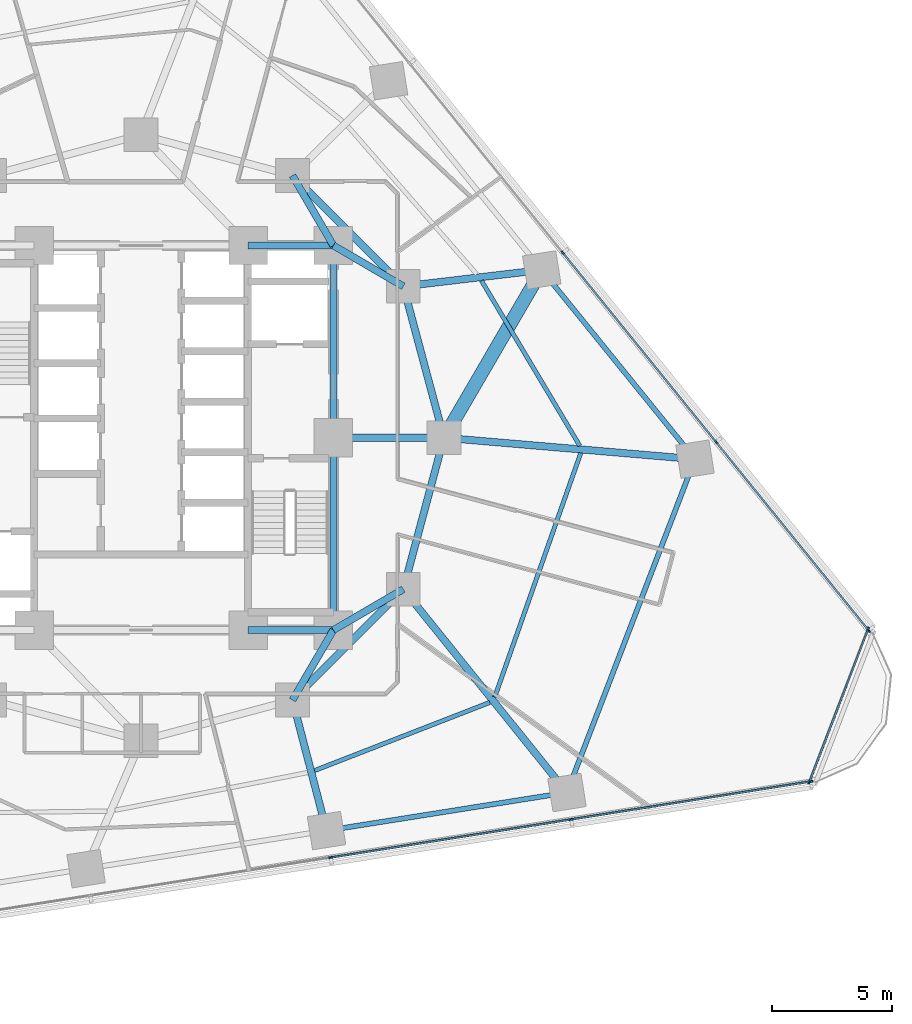
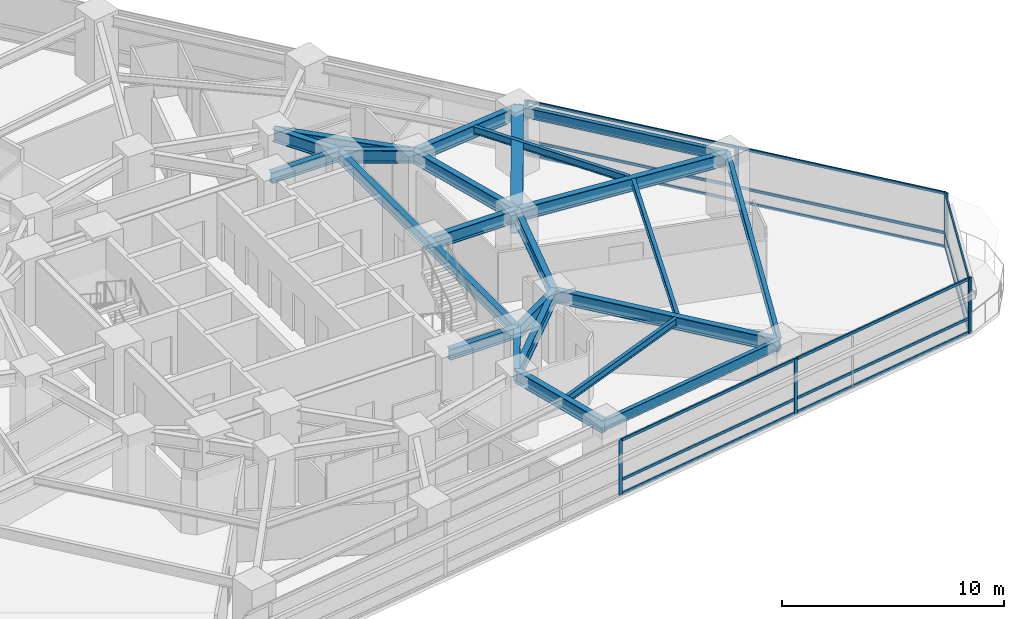
# One storey, part 4 of 13: 24 beams, 23 members, 3 elements without a shape of their own.
"""IFC4 building model written with IfcOpenShell, lengths in metres."""

from ifc_helpers import new_model, si_unit, direction, frame, origin, origin_2d, place, context, subcontext, project, spatial, rectangle, i_section, extrude, material, layer, layer_set, material_profile, profile_set, type_object, element, aggregate, save


model = new_model("IFC4")

# Units and contexts
model_context = context("Model", 3, precision=1e-05, world=origin(), true_north=direction((0.0, 1.0)))
body_context = subcontext(model_context, "Body", "Model", "MODEL_VIEW")
ifc_project = project(units=[si_unit("LENGTHUNIT", "METRE"), si_unit("AREAUNIT", "SQUARE_METRE"), si_unit("VOLUMEUNIT", "CUBIC_METRE"), si_unit("PLANEANGLEUNIT", "RADIAN"), si_unit("MASSUNIT", "GRAM", prefix="KILO")], contexts=[model_context])

# Site, building, storey
site_placement = place(None, origin())
site = spatial("IfcSite", under=ifc_project, at=site_placement, CompositionType="ELEMENT")
building_placement = place(site_placement, origin())
building = spatial("IfcBuilding", under=site, at=building_placement, Name="Terralouvre Media Tower", CompositionType="ELEMENT")
storey_placement = place(building_placement, frame((0.0, 0.0, 59.300048828125)))
storey = spatial("IfcBuildingStorey", under=building, at=storey_placement, Name="L14", CompositionType="ELEMENT", Elevation=59.300048828125)

# Beams
ifc_material_1 = material(Name="Structural steel S355J2", Category="steel")
ifc_material_profile_1 = material_profile(ifc_material_1, i_section(OverallWidth=0.179931640625, OverallDepth=0.39990234375, WebThickness=0.008544921875, FlangeThickness=0.013427734375, at=origin_2d()), Name="IPE 400")
ifc_profile_set_1 = profile_set([ifc_material_profile_1], Name="Structural steel S355J2")
beam_type_1 = type_object("IfcBeamType", Name="Composite Floor Joist J-IPE400 (IPE 400)", PredefinedType="JOIST", material=ifc_profile_set_1)
beam_1_placement = place(storey_placement, frame((7.21826171875, -13.844482421875, 3.300048828125), z_axis=(0.931999401601, 0.362459812139, 0.0), x_axis=(-0.362459812139, 0.931999401601, 0.0)))
element("IfcBeam", 1, at=beam_1_placement, inside=storey, type_object=beam_type_1, Name="L14 Framing Beam JT-L14-04", PredefinedType="JOIST", context=body_context, shape_type="SweptSolid", body=[
    extrude(i_section(OverallWidth=0.179931640625, OverallDepth=0.39990234375, WebThickness=0.008544921875, FlangeThickness=0.013427734375, at=origin_2d()), origin(), (0.0, 0.0, 1.0), 7.82470703125),
])
beam_2_placement = place(storey_placement, frame((14.713623046875, -10.78759765625, 3.300048828125), z_axis=(0.332419189209, 0.943131741935, 0.0), x_axis=(-0.943131741935, 0.332419189209, 0.0)))
element("IfcBeam", 2, at=beam_2_placement, inside=storey, type_object=beam_type_1, Name="L14 Framing Beam JT-L14-05", PredefinedType="JOIST", context=body_context, shape_type="SweptSolid", body=[
    extrude(i_section(OverallWidth=0.179931640625, OverallDepth=0.39990234375, WebThickness=0.008544921875, FlangeThickness=0.013427734375, at=origin_2d()), origin(), (0.0, 0.0, 1.0), 10.766845703125),
])
beam_3_placement = place(storey_placement, frame((18.250244140625, -0.331787109375, 3.300048828125), z_axis=(-0.511572999737, 0.859239818642, 0.0), x_axis=(-0.859239818642, -0.511572999737, 0.0)))
element("IfcBeam", 3, at=beam_3_placement, inside=storey, type_object=beam_type_1, Name="L14 Framing Beam JT-L14-06", PredefinedType="JOIST", context=body_context, shape_type="SweptSolid", body=[
    extrude(i_section(OverallWidth=0.179931640625, OverallDepth=0.39990234375, WebThickness=0.008544921875, FlangeThickness=0.013427734375, at=origin_2d()), origin(), (0.0, 0.0, 1.0), 7.99267578125),
])

# Curtain wall, members
ifc_material_2 = material(Name="Low-iron laminated double glazing with solar-control coating", Category="glass")
ifc_layer_1 = layer(ifc_material_2, 0.1650390625, Name="Lower Media Tower Unitised Curtain Wall CW-02")
ifc_layer_set_1 = layer_set([ifc_layer_1], Name="Low-iron laminated double glazing with solar-control coating")
curtain_wall_type_1 = type_object("IfcCurtainWallType", Name="Lower Media Tower Unitised Curtain Wall CW-02", PredefinedType="NOTDEFINED", material=ifc_layer_set_1)
curtain_wall_1_placement = place(storey_placement, origin())
curtain_wall_1 = element("IfcCurtainWall", 4, at=curtain_wall_1_placement, inside=storey, type_object=curtain_wall_type_1, Name="L14 Facade Curtain Wall F0", PredefinedType="NOTDEFINED")
ifc_material_3 = material(Name="Anodised extruded aluminium 6063-T6", Category="aluminium")
ifc_material_profile_2 = material_profile(ifc_material_3, rectangle(XDim=0.074951171875, YDim=0.14990234375, at=origin_2d()), Name="ALU 75x150")
ifc_profile_set_2 = profile_set([ifc_material_profile_2], Name="Anodised extruded aluminium 6063-T6")
member_type_1 = type_object("IfcMemberType", Name="Curtain-Wall Horizontal Transom TR-150", PredefinedType="USERDEFINED", material=ifc_profile_set_2)
member_1_placement = place(storey_placement, frame((7.929443359375, -17.452880859375, 0.037353515625), z_axis=(0.987690198625, 0.156422733448, 0.0), x_axis=(-0.156422733448, 0.987690198625, 0.0)))
member_1 = element("IfcMember", 5, at=member_1_placement, type_object=member_type_1, Name="CW-02 transom 4.1", ObjectType="TRANSOM", PredefinedType="USERDEFINED", context=body_context, shape_type="SweptSolid", body=[
    extrude(rectangle(XDim=0.074951171875, YDim=0.14990234375, at=origin_2d()), origin(), (0.0, 0.0, 1.0), 10.052978515625),
])
member_2_placement = place(storey_placement, frame((7.929443359375, -17.452880859375, 0.800048828125), z_axis=(0.987690198625, 0.156422733448, 0.0), x_axis=(-0.156422733448, 0.987690198625, 0.0)))
member_2 = element("IfcMember", 6, at=member_2_placement, type_object=member_type_1, Name="CW-02 transom 4.2", ObjectType="TRANSOM", PredefinedType="USERDEFINED", context=body_context, shape_type="SweptSolid", body=[
    extrude(rectangle(XDim=0.074951171875, YDim=0.14990234375, at=origin_2d()), origin(), (0.0, 0.0, 1.0), 10.052978515625),
])
member_3_placement = place(storey_placement, frame((7.929443359375, -17.452880859375, 2.96240234375), z_axis=(0.987690198625, 0.156422733448, 0.0), x_axis=(-0.156422733448, 0.987690198625, 0.0)))
member_3 = element("IfcMember", 7, at=member_3_placement, type_object=member_type_1, Name="CW-02 transom 4.3", ObjectType="TRANSOM", PredefinedType="USERDEFINED", context=body_context, shape_type="SweptSolid", body=[
    extrude(rectangle(XDim=0.074951171875, YDim=0.14990234375, at=origin_2d()), origin(), (0.0, 0.0, 1.0), 10.052978515625),
])
member_4_placement = place(storey_placement, frame((17.9326171875, -15.86865234375, 0.037353515625), z_axis=(0.987686755457, 0.156444472878, 0.0), x_axis=(-0.156444472878, 0.987686755457, 0.0)))
member_4 = element("IfcMember", 8, at=member_4_placement, type_object=member_type_1, Name="CW-02 transom 5.1", ObjectType="TRANSOM", PredefinedType="USERDEFINED", context=body_context, shape_type="SweptSolid", body=[
    extrude(rectangle(XDim=0.074951171875, YDim=0.14990234375, at=origin_2d()), origin(), (0.0, 0.0, 1.0), 10.015625),
])
member_5_placement = place(storey_placement, frame((17.9326171875, -15.86865234375, 0.800048828125), z_axis=(0.987686755457, 0.156444472878, 0.0), x_axis=(-0.156444472878, 0.987686755457, 0.0)))
member_5 = element("IfcMember", 9, at=member_5_placement, type_object=member_type_1, Name="CW-02 transom 5.2", ObjectType="TRANSOM", PredefinedType="USERDEFINED", context=body_context, shape_type="SweptSolid", body=[
    extrude(rectangle(XDim=0.074951171875, YDim=0.14990234375, at=origin_2d()), origin(), (0.0, 0.0, 1.0), 10.015625),
])
member_6_placement = place(storey_placement, frame((17.9326171875, -15.86865234375, 2.96240234375), z_axis=(0.987686755457, 0.156444472878, 0.0), x_axis=(-0.156444472878, 0.987686755457, 0.0)))
member_6 = element("IfcMember", 10, at=member_6_placement, type_object=member_type_1, Name="CW-02 transom 5.3", ObjectType="TRANSOM", PredefinedType="USERDEFINED", context=body_context, shape_type="SweptSolid", body=[
    extrude(rectangle(XDim=0.074951171875, YDim=0.14990234375, at=origin_2d()), origin(), (0.0, 0.0, 1.0), 10.015625),
])

curtain_wall_2_placement = place(storey_placement, origin())
curtain_wall_2 = element("IfcCurtainWall", 11, at=curtain_wall_2_placement, inside=storey, type_object=curtain_wall_type_1, Name="L14 Facade Curtain Wall F1", PredefinedType="NOTDEFINED")
member_7_placement = place(storey_placement, frame((30.247802734375, -7.990234375, 0.037353515625), z_axis=(-0.629312521445, 0.777152334071, 0.0), x_axis=(-0.777152334071, -0.629312521445, 0.0)))
member_7 = element("IfcMember", 12, at=member_7_placement, type_object=member_type_1, Name="CW-02 transom 1.1", ObjectType="TRANSOM", PredefinedType="USERDEFINED", context=body_context, shape_type="SweptSolid", body=[
    extrude(rectangle(XDim=0.074951171875, YDim=0.14990234375, at=origin_2d()), origin(), (0.0, 0.0, 1.0), 10.015625),
])
member_8_placement = place(storey_placement, frame((30.247802734375, -7.990234375, 0.800048828125), z_axis=(-0.629312521445, 0.777152334071, 0.0), x_axis=(-0.777152334071, -0.629312521445, 0.0)))
member_8 = element("IfcMember", 13, at=member_8_placement, type_object=member_type_1, Name="CW-02 transom 1.2", ObjectType="TRANSOM", PredefinedType="USERDEFINED", context=body_context, shape_type="SweptSolid", body=[
    extrude(rectangle(XDim=0.074951171875, YDim=0.14990234375, at=origin_2d()), origin(), (0.0, 0.0, 1.0), 10.015625),
])
member_9_placement = place(storey_placement, frame((30.247802734375, -7.990234375, 2.96240234375), z_axis=(-0.629312521445, 0.777152334071, 0.0), x_axis=(-0.777152334071, -0.629312521445, 0.0)))
member_9 = element("IfcMember", 14, at=member_9_placement, type_object=member_type_1, Name="CW-02 transom 1.3", ObjectType="TRANSOM", PredefinedType="USERDEFINED", context=body_context, shape_type="SweptSolid", body=[
    extrude(rectangle(XDim=0.074951171875, YDim=0.14990234375, at=origin_2d()), origin(), (0.0, 0.0, 1.0), 10.015625),
])
member_10_placement = place(storey_placement, frame((23.8974609375, -0.1484375, 0.037353515625), z_axis=(-0.629307207311, 0.777156637253, 0.0), x_axis=(-0.777156637253, -0.629307207311, 0.0)))
member_10 = element("IfcMember", 15, at=member_10_placement, type_object=member_type_1, Name="CW-02 transom 2.1", ObjectType="TRANSOM", PredefinedType="USERDEFINED", context=body_context, shape_type="SweptSolid", body=[
    extrude(rectangle(XDim=0.074951171875, YDim=0.14990234375, at=origin_2d()), origin(), (0.0, 0.0, 1.0), 10.052978515625),
])
member_11_placement = place(storey_placement, frame((23.8974609375, -0.1484375, 0.800048828125), z_axis=(-0.629307207311, 0.777156637253, 0.0), x_axis=(-0.777156637253, -0.629307207311, 0.0)))
member_11 = element("IfcMember", 16, at=member_11_placement, type_object=member_type_1, Name="CW-02 transom 2.2", ObjectType="TRANSOM", PredefinedType="USERDEFINED", context=body_context, shape_type="SweptSolid", body=[
    extrude(rectangle(XDim=0.074951171875, YDim=0.14990234375, at=origin_2d()), origin(), (0.0, 0.0, 1.0), 10.052978515625),
])
member_12_placement = place(storey_placement, frame((23.8974609375, -0.1484375, 2.96240234375), z_axis=(-0.629307207311, 0.777156637253, 0.0), x_axis=(-0.777156637253, -0.629307207311, 0.0)))
member_12 = element("IfcMember", 17, at=member_12_placement, type_object=member_type_1, Name="CW-02 transom 2.3", ObjectType="TRANSOM", PredefinedType="USERDEFINED", context=body_context, shape_type="SweptSolid", body=[
    extrude(rectangle(XDim=0.074951171875, YDim=0.14990234375, at=origin_2d()), origin(), (0.0, 0.0, 1.0), 10.052978515625),
])

ifc_material_4 = material(Name="Low-iron laminated double glazing with solar-control coating", Category="glass")
ifc_layer_2 = layer(ifc_material_4, 0.1650390625, Name="Rounded Wind-Corner Curved Glazing CW-04")
ifc_layer_set_2 = layer_set([ifc_layer_2], Name="Low-iron laminated double glazing with solar-control coating")
curtain_wall_type_2 = type_object("IfcCurtainWallType", Name="Rounded Wind-Corner Curved Glazing CW-04", PredefinedType="NOTDEFINED", material=ifc_layer_set_2)
curtain_wall_3_placement = place(storey_placement, origin())
curtain_wall_3 = element("IfcCurtainWall", 18, at=curtain_wall_3_placement, inside=storey, type_object=curtain_wall_type_2, Name="L14 Rounded Wind-Corner Curtain Wall C1", PredefinedType="NOTDEFINED")
member_13_placement = place(storey_placement, frame((27.81396484375, -14.288330078125, 0.037353515625), z_axis=(0.358345802392, 0.933588927691, 0.0), x_axis=(-0.933588927691, 0.358345802392, 0.0)))
member_13 = element("IfcMember", 19, at=member_13_placement, type_object=member_type_1, Name="CW-04 transom 1.1", ObjectType="TRANSOM", PredefinedType="USERDEFINED", context=body_context, shape_type="SweptSolid", body=[
    extrude(rectangle(XDim=0.074951171875, YDim=0.14990234375, at=origin_2d()), origin(), (0.0, 0.0, 1.0), 6.743408203125),
])
member_14_placement = place(storey_placement, frame((27.81396484375, -14.288330078125, 0.800048828125), z_axis=(0.358345802392, 0.933588927691, 0.0), x_axis=(-0.933588927691, 0.358345802392, 0.0)))
member_14 = element("IfcMember", 20, at=member_14_placement, type_object=member_type_1, Name="CW-04 transom 1.2", ObjectType="TRANSOM", PredefinedType="USERDEFINED", context=body_context, shape_type="SweptSolid", body=[
    extrude(rectangle(XDim=0.074951171875, YDim=0.14990234375, at=origin_2d()), origin(), (0.0, 0.0, 1.0), 6.743408203125),
])
member_15_placement = place(storey_placement, frame((27.81396484375, -14.288330078125, 2.96240234375), z_axis=(0.358345802392, 0.933588927691, 0.0), x_axis=(-0.933588927691, 0.358345802392, 0.0)))
member_15 = element("IfcMember", 21, at=member_15_placement, type_object=member_type_1, Name="CW-04 transom 1.3", ObjectType="TRANSOM", PredefinedType="USERDEFINED", context=body_context, shape_type="SweptSolid", body=[
    extrude(rectangle(XDim=0.074951171875, YDim=0.14990234375, at=origin_2d()), origin(), (0.0, 0.0, 1.0), 6.743408203125),
])

# Member
ifc_material_5 = material(Name="Anodised extruded aluminium 6063-T6", Category="aluminium")
ifc_material_profile_3 = material_profile(ifc_material_5, rectangle(XDim=0.074951171875, YDim=0.179931640625, at=origin_2d()), Name="ALU 75x180")
ifc_profile_set_3 = profile_set([ifc_material_profile_3], Name="Anodised extruded aluminium 6063-T6")
member_type_2 = type_object("IfcMemberType", Name="Curtain-Wall Vertical Mullion ML-180", PredefinedType="MULLION", material=ifc_profile_set_3)
member_16_placement = place(storey_placement, frame((7.892333984375, -17.458740234375, 0.0), z_axis=(0.0, 0.0, 1.0), x_axis=(-0.156434462903, 0.987688340934, 0.0)))
member_16 = element("IfcMember", 22, at=member_16_placement, type_object=member_type_2, Name="CW-02 mullion 4", PredefinedType="MULLION", context=body_context, shape_type="SweptSolid", body=[
    extrude(rectangle(XDim=0.074951171875, YDim=0.179931640625, at=origin_2d()), origin(), (0.0, 0.0, 1.0), 3.0),
])

member_17_placement = place(storey_placement, frame((17.895751953125, -15.87451171875, 0.0), z_axis=(0.0, 0.0, 1.0), x_axis=(-0.156434462903, 0.987688340934, 0.0)))
member_17 = element("IfcMember", 23, at=member_17_placement, type_object=member_type_2, Name="CW-02 mullion 5", PredefinedType="MULLION", context=body_context, shape_type="SweptSolid", body=[
    extrude(rectangle(XDim=0.074951171875, YDim=0.179931640625, at=origin_2d()), origin(), (0.0, 0.0, 1.0), 3.0),
])

member_18_placement = place(storey_placement, frame((27.86181640625, -14.2958984375, 0.0), z_axis=(0.0, 0.0, 1.0), x_axis=(-0.156434462903, 0.987688340934, 0.0)))
member_18 = element("IfcMember", 24, at=member_18_placement, type_object=member_type_2, Name="CW-02 mullion 6", PredefinedType="MULLION", context=body_context, shape_type="SweptSolid", body=[
    extrude(rectangle(XDim=0.074951171875, YDim=0.179931640625, at=origin_2d()), origin(), (0.0, 0.0, 1.0), 3.0),
])

aggregate(curtain_wall_1, [member_16, member_17, member_18, member_1, member_2, member_3, member_4, member_5, member_6])

member_19_placement = place(storey_placement, frame((30.271240234375, -8.019287109375, 0.0), z_axis=(0.0, 0.0, 1.0), x_axis=(-0.777145994276, -0.629320350521, 0.0)))
member_19 = element("IfcMember", 25, at=member_19_placement, type_object=member_type_2, Name="CW-02 mullion 1", PredefinedType="MULLION", context=body_context, shape_type="SweptSolid", body=[
    extrude(rectangle(XDim=0.074951171875, YDim=0.179931640625, at=origin_2d()), origin(), (0.0, 0.0, 1.0), 3.0),
])

member_20_placement = place(storey_placement, frame((23.921142578125, -0.177490234375, 0.0), z_axis=(0.0, 0.0, 1.0), x_axis=(-0.777145994276, -0.629320350521, 0.0)))
member_20 = element("IfcMember", 26, at=member_20_placement, type_object=member_type_2, Name="CW-02 mullion 2", PredefinedType="MULLION", context=body_context, shape_type="SweptSolid", body=[
    extrude(rectangle(XDim=0.074951171875, YDim=0.179931640625, at=origin_2d()), origin(), (0.0, 0.0, 1.0), 3.0),
])

member_21_placement = place(storey_placement, frame((17.54736328125, 7.693359375, 0.0), z_axis=(0.0, 0.0, 1.0), x_axis=(-0.777145994276, -0.629320350521, 0.0)))
member_21 = element("IfcMember", 27, at=member_21_placement, type_object=member_type_2, Name="CW-02 mullion 3", PredefinedType="MULLION", context=body_context, shape_type="SweptSolid", body=[
    extrude(rectangle(XDim=0.074951171875, YDim=0.179931640625, at=origin_2d()), origin(), (0.0, 0.0, 1.0), 3.0),
])

aggregate(curtain_wall_2, [member_19, member_20, member_21, member_7, member_8, member_9, member_10, member_11, member_12])

member_22_placement = place(storey_placement, frame((27.800537109375, -14.323486328125, 0.0), z_axis=(0.0, 0.0, 1.0), x_axis=(-0.933580609478, 0.358367472863, 0.0)))
member_22 = element("IfcMember", 28, at=member_22_placement, type_object=member_type_2, Name="CW-04 mullion 1", PredefinedType="MULLION", context=body_context, shape_type="SweptSolid", body=[
    extrude(rectangle(XDim=0.074951171875, YDim=0.179931640625, at=origin_2d()), origin(), (0.0, 0.0, 1.0), 3.0),
])

member_23_placement = place(storey_placement, frame((30.243896484375, -7.957763671875, 0.0), z_axis=(0.0, 0.0, 1.0), x_axis=(-0.933580609478, 0.358367472863, 0.0)))
member_23 = element("IfcMember", 29, at=member_23_placement, type_object=member_type_2, Name="CW-04 mullion 2", PredefinedType="MULLION", context=body_context, shape_type="SweptSolid", body=[
    extrude(rectangle(XDim=0.074951171875, YDim=0.179931640625, at=origin_2d()), origin(), (0.0, 0.0, 1.0), 3.0),
])

aggregate(curtain_wall_3, [member_22, member_23, member_13, member_14, member_15])

# Beams
ifc_material_6 = material(Name="Structural steel S355J2", Category="steel")
ifc_material_profile_4 = material_profile(ifc_material_6, i_section(OverallWidth=0.2099609375, OverallDepth=0.550048828125, WebThickness=0.010986328125, FlangeThickness=0.01708984375, at=origin_2d()), Name="IPE 550")
ifc_profile_set_4 = profile_set([ifc_material_profile_4], Name="Structural steel S355J2")
beam_type_2 = type_object("IfcBeamType", Name="Perimeter Spandrel Beam SPB-550 (IPE 550)", PredefinedType="SPANDREL", material=ifc_profile_set_4)
beam_4_placement = place(storey_placement, frame((7.715576171875, -16.3427734375, 3.224853515625), z_axis=(0.987686424887, 0.156446559869, 0.0), x_axis=(-0.156446559869, 0.987686424887, 0.0)))
element("IfcBeam", 30, at=beam_4_placement, inside=storey, type_object=beam_type_2, Name="L14 Framing Beam BM-L14-PR04", PredefinedType="SPANDREL", context=body_context, shape_type="SweptSolid", body=[
    extrude(i_section(OverallWidth=0.2099609375, OverallDepth=0.550048828125, WebThickness=0.010986328125, FlangeThickness=0.01708984375, at=origin_2d()), origin(), (0.0, 0.0, 1.0), 10.1279296875),
])
beam_5_placement = place(storey_placement, frame((17.71875, -14.75830078125, 3.224853515625), z_axis=(0.358377748767, 0.933576664869, 0.0), x_axis=(-0.933576664869, 0.358377748767, 0.0)))
element("IfcBeam", 31, at=beam_5_placement, inside=storey, type_object=beam_type_2, Name="L14 Framing Beam BM-L14-PR05", PredefinedType="SPANDREL", context=body_context, shape_type="SweptSolid", body=[
    extrude(i_section(OverallWidth=0.2099609375, OverallDepth=0.550048828125, WebThickness=0.010986328125, FlangeThickness=0.01708984375, at=origin_2d()), origin(), (0.0, 0.0, 1.0), 14.8564453125),
])
beam_6_placement = place(storey_placement, frame((23.04296875, -0.888671875, 3.21484375), z_axis=(-0.629314025627, 0.777151116031, 0.0), x_axis=(-0.777151116031, -0.629314025627, 0.0)))
element("IfcBeam", 32, at=beam_6_placement, inside=storey, type_object=beam_type_2, Name="L14 Framing Beam BM-L14-PR06", PredefinedType="SPANDREL", context=body_context, shape_type="SweptSolid", body=[
    extrude(i_section(OverallWidth=0.2099609375, OverallDepth=0.550048828125, WebThickness=0.010986328125, FlangeThickness=0.01708984375, at=origin_2d()), origin(), (0.0, 0.0, 1.0), 10.128173828125),
])
ifc_material_7 = material(Name="Structural steel S460M", Category="steel")
ifc_material_profile_5 = material_profile(ifc_material_7, i_section(OverallWidth=0.300048828125, OverallDepth=0.60009765625, WebThickness=0.015380859375, FlangeThickness=0.030029296875, at=origin_2d()), Name="HEB 600")
ifc_profile_set_5 = profile_set([ifc_material_profile_5], Name="Structural steel S460M")
beam_type_3 = type_object("IfcBeamType", Name="Primary Floor Girder B-HEB600 (HEB 600)", PredefinedType="BEAM", material=ifc_profile_set_5)
beam_7_placement = place(storey_placement, frame((4.449951171875, -8.0, 3.199951171875), z_axis=(1.0, 0.0, 0.0), x_axis=(0.0, 1.0, 0.0)))
element("IfcBeam", 33, at=beam_7_placement, inside=storey, type_object=beam_type_3, Name="L14 Framing Beam BM-L14-CPR03", PredefinedType="BEAM", context=body_context, shape_type="SweptSolid", body=[
    extrude(i_section(OverallWidth=0.300048828125, OverallDepth=0.60009765625, WebThickness=0.015380859375, FlangeThickness=0.030029296875, at=origin_2d()), origin(), (0.0, 0.0, 1.0), 3.550048828125),
])
for number, where, z_axis, x_axis, name in (
    (34, (8.0, -8.0, 3.199951171875), (0.0, 1.0, 0.0), (-1.0, 0.0, 0.0), "L14 Framing Beam BM-L14-CPR04"),
    (35, (8.0, 0.0, 3.199951171875), (0.0, 1.0, 0.0), (-1.0, 0.0, 0.0), "L14 Framing Beam BM-L14-CPR05"),
):
    element("IfcBeam", number, at=place(storey_placement, frame(where, z_axis=z_axis, x_axis=x_axis)), inside=storey, type_object=beam_type_3, Name=name, PredefinedType="BEAM", context=body_context, shape_type="SweptSolid", body=[
        extrude(i_section(OverallWidth=0.300048828125, OverallDepth=0.60009765625, WebThickness=0.015380859375, FlangeThickness=0.030029296875, at=origin_2d()), origin(), (0.0, 0.0, 1.0), 8.0),
    ])
beam_8_placement = place(storey_placement, frame((8.0, 8.0, 3.199951171875), z_axis=(-1.0, 0.0, 0.0), x_axis=(0.0, -1.0, 0.0)))
element("IfcBeam", 36, at=beam_8_placement, inside=storey, type_object=beam_type_3, Name="L14 Framing Beam BM-L14-CPR06", PredefinedType="BEAM", context=body_context, shape_type="SweptSolid", body=[
    extrude(i_section(OverallWidth=0.300048828125, OverallDepth=0.60009765625, WebThickness=0.015380859375, FlangeThickness=0.030029296875, at=origin_2d()), origin(), (0.0, 0.0, 1.0), 3.550048828125),
])
ifc_material_8 = material(Name="Structural steel S460M", Category="steel")
ifc_material_profile_6 = material_profile(ifc_material_8, i_section(OverallWidth=0.300048828125, OverallDepth=0.699951171875, WebThickness=0.01708984375, FlangeThickness=0.031982421875, at=origin_2d()), Name="HEB 700")
ifc_profile_set_6 = profile_set([ifc_material_profile_6], Name="Structural steel S460M")
beam_type_4 = type_object("IfcBeamType", Name="Primary Floor Girder B-HEB700 (HEB 700)", PredefinedType="BEAM", material=ifc_profile_set_6)
beam_9_placement = place(storey_placement, frame((6.300048828125, -10.911865234375, 3.14990234375), z_axis=(0.707106781187, 0.707106781187, 0.0), x_axis=(-0.707106781187, 0.707106781187, 0.0)))
element("IfcBeam", 37, at=beam_9_placement, inside=storey, type_object=beam_type_4, Name="L14 Framing Beam BM-L14-MR04", PredefinedType="BEAM", context=body_context, shape_type="SweptSolid", body=[
    extrude(i_section(OverallWidth=0.300048828125, OverallDepth=0.699951171875, WebThickness=0.01708984375, FlangeThickness=0.031982421875, at=origin_2d()), origin(), (0.0, 0.0, 1.0), 6.52197265625),
])
for number, where, z_axis, x_axis, name in (
    (38, (10.911865234375, -6.300048828125, 3.14990234375), (0.258838989821, 0.965920481897, 0.0), (-0.965920481897, 0.258838989821, 0.0), "L14 Framing Beam BM-L14-MR05"),
    (39, (12.60009765625, 0.0, 3.14990234375), (-0.258838989821, 0.965920481897, 0.0), (-0.965920481897, -0.258838989821, 0.0), "L14 Framing Beam BM-L14-MR06"),
):
    element("IfcBeam", number, at=place(storey_placement, frame(where, z_axis=z_axis, x_axis=x_axis)), inside=storey, type_object=beam_type_4, Name=name, PredefinedType="BEAM", context=body_context, shape_type="SweptSolid", body=[
        extrude(i_section(OverallWidth=0.300048828125, OverallDepth=0.699951171875, WebThickness=0.01708984375, FlangeThickness=0.031982421875, at=origin_2d()), origin(), (0.0, 0.0, 1.0), 6.522216796875),
    ])
beam_10_placement = place(storey_placement, frame((10.911865234375, 6.300048828125, 3.14990234375), z_axis=(-0.707106781187, 0.707106781187, 0.0), x_axis=(-0.707106781187, -0.707106781187, 0.0)))
element("IfcBeam", 40, at=beam_10_placement, inside=storey, type_object=beam_type_4, Name="L14 Framing Beam BM-L14-MR07", PredefinedType="BEAM", context=body_context, shape_type="SweptSolid", body=[
    extrude(i_section(OverallWidth=0.300048828125, OverallDepth=0.699951171875, WebThickness=0.01708984375, FlangeThickness=0.031982421875, at=origin_2d()), origin(), (0.0, 0.0, 1.0), 6.52197265625),
])
for number, where, z_axis, x_axis, name in (
    (41, (8.0, -8.0, 3.14990234375), (-0.504172629717, -0.863602894532, 0.0), (0.863602894532, -0.504172629717, 0.0), "L14 Framing Beam BM-L14-CM04"),
    (42, (8.0, -8.0, 3.14990234375), (0.863602894532, 0.504172629717, 0.0), (-0.504172629717, 0.863602894532, 0.0), "L14 Framing Beam BM-L14-CM05"),
):
    element("IfcBeam", number, at=place(storey_placement, frame(where, z_axis=z_axis, x_axis=x_axis)), inside=storey, type_object=beam_type_4, Name=name, PredefinedType="BEAM", context=body_context, shape_type="SweptSolid", body=[
        extrude(i_section(OverallWidth=0.300048828125, OverallDepth=0.699951171875, WebThickness=0.01708984375, FlangeThickness=0.031982421875, at=origin_2d()), origin(), (0.0, 0.0, 1.0), 3.371826171875),
    ])
beam_11_placement = place(storey_placement, frame((8.0, 0.0, 3.14990234375), z_axis=(1.0, 0.0, 0.0), x_axis=(0.0, 1.0, 0.0)))
element("IfcBeam", 43, at=beam_11_placement, inside=storey, type_object=beam_type_4, Name="L14 Framing Beam BM-L14-CM06", PredefinedType="BEAM", context=body_context, shape_type="SweptSolid", body=[
    extrude(i_section(OverallWidth=0.300048828125, OverallDepth=0.699951171875, WebThickness=0.01708984375, FlangeThickness=0.031982421875, at=origin_2d()), origin(), (0.0, 0.0, 1.0), 4.60009765625),
])
for number, where, z_axis, x_axis, name in (
    (44, (8.0, 8.0, 3.14990234375), (0.863602894532, -0.504172629717, 0.0), (0.504172629717, 0.863602894532, 0.0), "L14 Framing Beam BM-L14-CM07"),
    (45, (8.0, 8.0, 3.14990234375), (-0.504172629717, 0.863602894532, 0.0), (-0.863602894532, -0.504172629717, 0.0), "L14 Framing Beam BM-L14-CM08"),
):
    element("IfcBeam", number, at=place(storey_placement, frame(where, z_axis=z_axis, x_axis=x_axis)), inside=storey, type_object=beam_type_4, Name=name, PredefinedType="BEAM", context=body_context, shape_type="SweptSolid", body=[
        extrude(i_section(OverallWidth=0.300048828125, OverallDepth=0.699951171875, WebThickness=0.01708984375, FlangeThickness=0.031982421875, at=origin_2d()), origin(), (0.0, 0.0, 1.0), 3.371826171875),
    ])
beam_12_placement = place(storey_placement, frame((6.300048828125, -10.911865234375, 3.14990234375), z_axis=(0.252216476238, -0.967670837172, 0.0), x_axis=(0.967670837172, 0.252216476238, 0.0)))
element("IfcBeam", 46, at=beam_12_placement, inside=storey, type_object=beam_type_4, Name="L14 Framing Beam BM-L14-RD04", PredefinedType="BEAM", context=body_context, shape_type="SweptSolid", body=[
    extrude(i_section(OverallWidth=0.300048828125, OverallDepth=0.699951171875, WebThickness=0.01708984375, FlangeThickness=0.031982421875, at=origin_2d()), origin(), (0.0, 0.0, 1.0), 5.6123046875),
])
beam_13_placement = place(storey_placement, frame((10.911865234375, -6.300048828125, 3.14990234375), z_axis=(0.626954818356, -0.779055617874, 0.0), x_axis=(0.779055617874, 0.626954818356, 0.0)))
element("IfcBeam", 47, at=beam_13_placement, inside=storey, type_object=beam_type_4, Name="L14 Framing Beam BM-L14-RD05", PredefinedType="BEAM", context=body_context, shape_type="SweptSolid", body=[
    extrude(i_section(OverallWidth=0.300048828125, OverallDepth=0.699951171875, WebThickness=0.01708984375, FlangeThickness=0.031982421875, at=origin_2d()), origin(), (0.0, 0.0, 1.0), 10.857177734375),
])
beam_14_placement = place(storey_placement, frame((12.60009765625, 0.0, 3.14990234375), z_axis=(0.996398677219, -0.084791957382, 0.0), x_axis=(0.084791957382, 0.996398677219, 0.0)))
element("IfcBeam", 48, at=beam_14_placement, inside=storey, type_object=beam_type_4, Name="L14 Framing Beam BM-L14-RD06", PredefinedType="BEAM", context=body_context, shape_type="SweptSolid", body=[
    extrude(i_section(OverallWidth=0.300048828125, OverallDepth=0.699951171875, WebThickness=0.01708984375, FlangeThickness=0.031982421875, at=origin_2d()), origin(), (0.0, 0.0, 1.0), 10.480712890625),
])
beam_15_placement = place(storey_placement, frame((10.911865234375, 6.300048828125, 3.139892578125), z_axis=(0.993049341372, 0.117698791838, 0.0), x_axis=(-0.117698791838, 0.993049341372, 0.0)))
element("IfcBeam", 49, at=beam_15_placement, inside=storey, type_object=beam_type_4, Name="L14 Framing Beam BM-L14-RD07", PredefinedType="BEAM", context=body_context, shape_type="SweptSolid", body=[
    extrude(i_section(OverallWidth=0.300048828125, OverallDepth=0.699951171875, WebThickness=0.01708984375, FlangeThickness=0.031982421875, at=origin_2d()), origin(), (0.0, 0.0, 1.0), 5.797607421875),
])
ifc_material_9 = material(Name="Structural steel S460M", Category="steel")
ifc_material_profile_7 = material_profile(ifc_material_9, i_section(OverallWidth=0.56005859375, OverallDepth=1.39990234375, WebThickness=0.031982421875, FlangeThickness=0.050048828125, at=origin_2d()), Name="TG 1400x560")
ifc_profile_set_7 = profile_set([ifc_material_profile_7], Name="Structural steel S460M")
beam_type_5 = type_object("IfcBeamType", Name="Welded Transfer Girder TG-1400 (TG 1400x560)", PredefinedType="USERDEFINED", material=ifc_profile_set_7)
beam_16_placement = place(storey_placement, frame((12.60009765625, 0.0, 2.7900390625), z_axis=(0.503502830027, 0.863993576455, 0.0), x_axis=(-0.863993576455, 0.503502830027, 0.0)))
element("IfcBeam", 50, at=beam_16_placement, inside=storey, type_object=beam_type_5, Name="L14 Framing Beam BM-L14-SG02", ObjectType="TRANSFER GIRDER", PredefinedType="USERDEFINED", context=body_context, shape_type="SweptSolid", body=[
    extrude(i_section(OverallWidth=0.56005859375, OverallDepth=1.39990234375, WebThickness=0.031982421875, FlangeThickness=0.050048828125, at=origin_2d()), origin(), (0.0, 0.0, 1.0), 8.08154296875),
])

save(model, "model.ifc")
